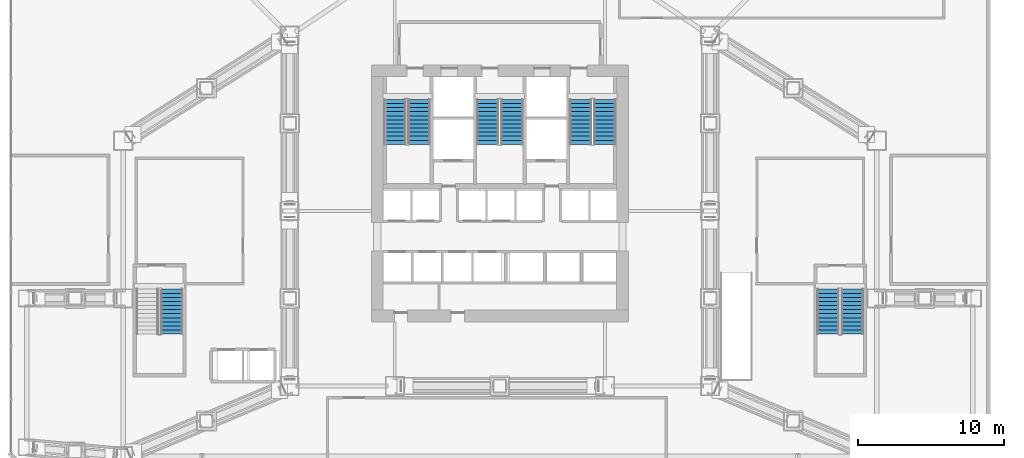
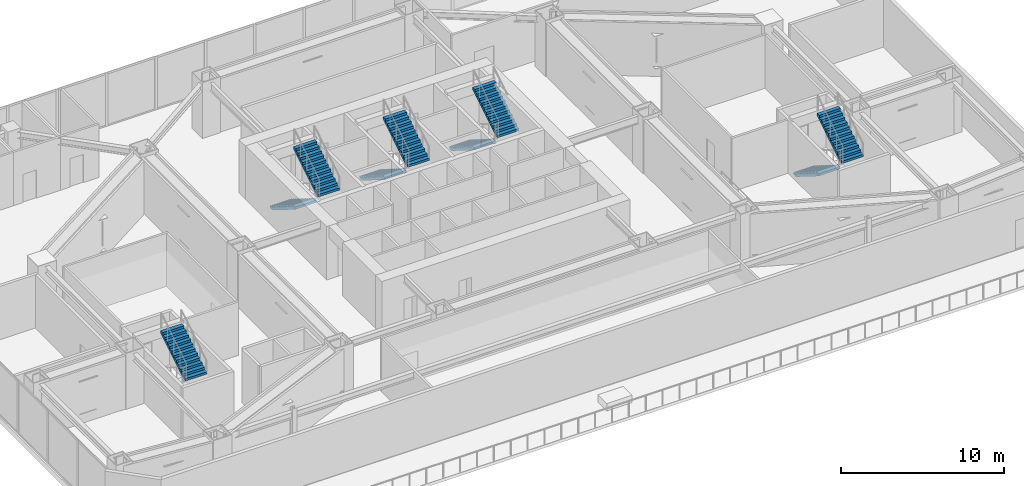
# One storey, part 35 of 39: 9 stair flights, 5 elements without a shape of their own.
"""IFC4 building model written with IfcOpenShell, lengths in metres."""

from ifc_helpers import new_model, si_unit, direction, frame, origin, place, context, subcontext, project, spatial, polyline, outline, extrude, material, type_object, element, aggregate, save


model = new_model("IFC4")

# Units and contexts
model_context = context("Model", 3, precision=1e-05, world=origin(), true_north=direction((0.0, 1.0)))
body_context = subcontext(model_context, "Body", "Model", "MODEL_VIEW")
ifc_project = project(units=[si_unit("LENGTHUNIT", "METRE"), si_unit("AREAUNIT", "SQUARE_METRE"), si_unit("VOLUMEUNIT", "CUBIC_METRE"), si_unit("PLANEANGLEUNIT", "RADIAN"), si_unit("MASSUNIT", "GRAM", prefix="KILO")], contexts=[model_context])

# Site, building, storey
site_placement = place(None, origin())
site = spatial("IfcSite", under=ifc_project, at=site_placement, CompositionType="ELEMENT")
building_placement = place(site_placement, origin())
building = spatial("IfcBuilding", under=site, at=building_placement, Name="Haolan Belvedere Tower", CompositionType="ELEMENT")
storey_placement = place(building_placement, frame((0.0, 0.0, 19.800048828125)))
storey = spatial("IfcBuildingStorey", under=building, at=storey_placement, Name="L04", CompositionType="ELEMENT", Elevation=19.800048828125)

# Stair, stair flights
ifc_material = material(Name="Concrete C40/50", Category="concrete")
stair_type = type_object("IfcStairType", Name="STR-DL-24R-175", PredefinedType="HALF_TURN_STAIR", material=ifc_material)
stair_1_placement = place(storey_placement, origin())
stair_1 = element("IfcStair", 1, at=stair_1_placement, inside=storey, type_object=stair_type, Name="L04 Smokeproof Core Exit Stair ST1", PredefinedType="HALF_TURN_STAIR")
stair_flight_type = type_object("IfcStairFlightType", Name="SFL-DL-12R-175", PredefinedType="STRAIGHT", material=ifc_material)
stair_flight_1_placement = place(storey_placement, frame((31.2099609375, 41.22998046875, 0.0), z_axis=(0.0, 0.0, 1.0), x_axis=(0.0, -1.0, 0.0)))
stair_flight_1 = element("IfcStairFlight", 2, at=stair_flight_1_placement, type_object=stair_flight_type, Name="ST1 flight 1", NumberOfRisers=12, NumberOfTreads=11, PredefinedType="STRAIGHT", RiserHeight=0.175, TreadLength=0.28, context=body_context, shape_type="SweptSolid", body=[
    extrude(outline(polyline([(0.0, 0.0), (0.0, 0.175048828125), (0.280029296875, 0.175048828125), (0.280029296875, 0.35009765625), (0.56005859375, 0.35009765625), (0.56005859375, 0.52490234375), (0.840087890625, 0.52490234375), (0.840087890625, 0.699951171875), (1.1201171875, 0.699951171875), (1.1201171875, 0.875), (1.39990234375, 0.875), (1.39990234375, 1.050048828125), (1.679931640625, 1.050048828125), (1.679931640625, 1.22509765625), (1.9599609375, 1.22509765625), (1.9599609375, 1.39990234375), (2.239990234375, 1.39990234375), (2.239990234375, 1.574951171875), (2.52001953125, 1.574951171875), (2.52001953125, 1.75), (2.800048828125, 1.75), (2.800048828125, 1.925048828125), (3.080078125, 1.925048828125), (3.080078125, 2.10009765625), (3.080078125, 1.748291015625), (0.28271484375, 0.0), (0.0, 0.0)])), frame((0.0, 0.760009765625, 0.0), z_axis=(0.0, -1.0, 0.0), x_axis=(1.0, 0.0, 0.0)), (0.0, 0.0, 1.0), 1.52001953125),
])
stair_flight_2_placement = place(storey_placement, frame((32.8701171875, 38.14990234375, 2.099853515625), z_axis=(0.0, 0.0, 1.0), x_axis=(0.0, 1.0, 0.0)))
stair_flight_2 = element("IfcStairFlight", 3, at=stair_flight_2_placement, type_object=stair_flight_type, Name="ST1 flight 2", NumberOfRisers=12, NumberOfTreads=11, PredefinedType="STRAIGHT", RiserHeight=0.175, TreadLength=0.28, context=body_context, shape_type="SweptSolid", body=[
    extrude(outline(polyline([(0.0, 0.0), (0.0, 0.175048828125), (0.280029296875, 0.175048828125), (0.280029296875, 0.35009765625), (0.56005859375, 0.35009765625), (0.56005859375, 0.52490234375), (0.840087890625, 0.52490234375), (0.840087890625, 0.699951171875), (1.1201171875, 0.699951171875), (1.1201171875, 0.875), (1.39990234375, 0.875), (1.39990234375, 1.050048828125), (1.679931640625, 1.050048828125), (1.679931640625, 1.22509765625), (1.9599609375, 1.22509765625), (1.9599609375, 1.39990234375), (2.239990234375, 1.39990234375), (2.239990234375, 1.574951171875), (2.52001953125, 1.574951171875), (2.52001953125, 1.75), (2.800048828125, 1.75), (2.800048828125, 1.925048828125), (3.080078125, 1.925048828125), (3.080078125, 2.10009765625), (3.080078125, 1.748291015625), (0.28271484375, 0.0), (0.0, 0.0)])), frame((0.0, 0.760009765625, 0.0), z_axis=(0.0, -1.0, 0.0), x_axis=(1.0, 0.0, 0.0)), (0.0, 0.0, 1.0), 1.52001953125),
])
aggregate(stair_1, [stair_flight_1, stair_flight_2])

stair_2_placement = place(storey_placement, origin())
stair_2 = element("IfcStair", 4, at=stair_2_placement, inside=storey, type_object=stair_type, Name="L04 Smokeproof Core Exit Stair ST3", PredefinedType="HALF_TURN_STAIR")
stair_flight_3_placement = place(storey_placement, frame((37.570068359375, 41.22998046875, 0.0), z_axis=(0.0, 0.0, 1.0), x_axis=(0.0, -1.0, 0.0)))
stair_flight_3 = element("IfcStairFlight", 5, at=stair_flight_3_placement, type_object=stair_flight_type, Name="ST3 flight 1", NumberOfRisers=12, NumberOfTreads=11, PredefinedType="STRAIGHT", RiserHeight=0.175, TreadLength=0.28, context=body_context, shape_type="SweptSolid", body=[
    extrude(outline(polyline([(0.0, 0.0), (0.0, 0.175048828125), (0.280029296875, 0.175048828125), (0.280029296875, 0.35009765625), (0.56005859375, 0.35009765625), (0.56005859375, 0.52490234375), (0.840087890625, 0.52490234375), (0.840087890625, 0.699951171875), (1.1201171875, 0.699951171875), (1.1201171875, 0.875), (1.39990234375, 0.875), (1.39990234375, 1.050048828125), (1.679931640625, 1.050048828125), (1.679931640625, 1.22509765625), (1.9599609375, 1.22509765625), (1.9599609375, 1.39990234375), (2.239990234375, 1.39990234375), (2.239990234375, 1.574951171875), (2.52001953125, 1.574951171875), (2.52001953125, 1.75), (2.800048828125, 1.75), (2.800048828125, 1.925048828125), (3.080078125, 1.925048828125), (3.080078125, 2.10009765625), (3.080078125, 1.748291015625), (0.28271484375, 0.0), (0.0, 0.0)])), frame((0.0, 0.760009765625, 0.0), z_axis=(0.0, -1.0, 0.0), x_axis=(1.0, 0.0, 0.0)), (0.0, 0.0, 1.0), 1.52001953125),
])
stair_flight_4_placement = place(storey_placement, frame((39.22998046875, 38.14990234375, 2.099853515625), z_axis=(0.0, 0.0, 1.0), x_axis=(0.0, 1.0, 0.0)))
stair_flight_4 = element("IfcStairFlight", 6, at=stair_flight_4_placement, type_object=stair_flight_type, Name="ST3 flight 2", NumberOfRisers=12, NumberOfTreads=11, PredefinedType="STRAIGHT", RiserHeight=0.175, TreadLength=0.28, context=body_context, shape_type="SweptSolid", body=[
    extrude(outline(polyline([(0.0, 0.0), (0.0, 0.175048828125), (0.280029296875, 0.175048828125), (0.280029296875, 0.35009765625), (0.56005859375, 0.35009765625), (0.56005859375, 0.52490234375), (0.840087890625, 0.52490234375), (0.840087890625, 0.699951171875), (1.1201171875, 0.699951171875), (1.1201171875, 0.875), (1.39990234375, 0.875), (1.39990234375, 1.050048828125), (1.679931640625, 1.050048828125), (1.679931640625, 1.22509765625), (1.9599609375, 1.22509765625), (1.9599609375, 1.39990234375), (2.239990234375, 1.39990234375), (2.239990234375, 1.574951171875), (2.52001953125, 1.574951171875), (2.52001953125, 1.75), (2.800048828125, 1.75), (2.800048828125, 1.925048828125), (3.080078125, 1.925048828125), (3.080078125, 2.10009765625), (3.080078125, 1.748291015625), (0.28271484375, 0.0), (0.0, 0.0)])), frame((0.0, 0.760009765625, 0.0), z_axis=(0.0, -1.0, 0.0), x_axis=(1.0, 0.0, 0.0)), (0.0, 0.0, 1.0), 1.52001953125),
])
aggregate(stair_2, [stair_flight_3, stair_flight_4])

stair_3_placement = place(storey_placement, origin())
stair_3 = element("IfcStair", 7, at=stair_3_placement, inside=storey, type_object=stair_type, Name="L04 Smokeproof Core Exit Stair ST2", PredefinedType="HALF_TURN_STAIR")
stair_flight_5_placement = place(storey_placement, frame((43.929931640625, 41.22998046875, 0.0), z_axis=(0.0, 0.0, 1.0), x_axis=(0.0, -1.0, 0.0)))
stair_flight_5 = element("IfcStairFlight", 8, at=stair_flight_5_placement, type_object=stair_flight_type, Name="ST2 flight 1", NumberOfRisers=12, NumberOfTreads=11, PredefinedType="STRAIGHT", RiserHeight=0.175, TreadLength=0.28, context=body_context, shape_type="SweptSolid", body=[
    extrude(outline(polyline([(0.0, 0.0), (0.0, 0.175048828125), (0.280029296875, 0.175048828125), (0.280029296875, 0.35009765625), (0.56005859375, 0.35009765625), (0.56005859375, 0.52490234375), (0.840087890625, 0.52490234375), (0.840087890625, 0.699951171875), (1.1201171875, 0.699951171875), (1.1201171875, 0.875), (1.39990234375, 0.875), (1.39990234375, 1.050048828125), (1.679931640625, 1.050048828125), (1.679931640625, 1.22509765625), (1.9599609375, 1.22509765625), (1.9599609375, 1.39990234375), (2.239990234375, 1.39990234375), (2.239990234375, 1.574951171875), (2.52001953125, 1.574951171875), (2.52001953125, 1.75), (2.800048828125, 1.75), (2.800048828125, 1.925048828125), (3.080078125, 1.925048828125), (3.080078125, 2.10009765625), (3.080078125, 1.748291015625), (0.28271484375, 0.0), (0.0, 0.0)])), frame((0.0, 0.760009765625, 0.0), z_axis=(0.0, -1.0, 0.0), x_axis=(1.0, 0.0, 0.0)), (0.0, 0.0, 1.0), 1.52001953125),
])
stair_flight_6_placement = place(storey_placement, frame((45.590087890625, 38.14990234375, 2.099853515625), z_axis=(0.0, 0.0, 1.0), x_axis=(0.0, 1.0, 0.0)))
stair_flight_6 = element("IfcStairFlight", 9, at=stair_flight_6_placement, type_object=stair_flight_type, Name="ST2 flight 2", NumberOfRisers=12, NumberOfTreads=11, PredefinedType="STRAIGHT", RiserHeight=0.175, TreadLength=0.28, context=body_context, shape_type="SweptSolid", body=[
    extrude(outline(polyline([(0.0, 0.0), (0.0, 0.175048828125), (0.280029296875, 0.175048828125), (0.280029296875, 0.35009765625), (0.56005859375, 0.35009765625), (0.56005859375, 0.52490234375), (0.840087890625, 0.52490234375), (0.840087890625, 0.699951171875), (1.1201171875, 0.699951171875), (1.1201171875, 0.875), (1.39990234375, 0.875), (1.39990234375, 1.050048828125), (1.679931640625, 1.050048828125), (1.679931640625, 1.22509765625), (1.9599609375, 1.22509765625), (1.9599609375, 1.39990234375), (2.239990234375, 1.39990234375), (2.239990234375, 1.574951171875), (2.52001953125, 1.574951171875), (2.52001953125, 1.75), (2.800048828125, 1.75), (2.800048828125, 1.925048828125), (3.080078125, 1.925048828125), (3.080078125, 2.10009765625), (3.080078125, 1.748291015625), (0.28271484375, 0.0), (0.0, 0.0)])), frame((0.0, 0.760009765625, 0.0), z_axis=(0.0, -1.0, 0.0), x_axis=(1.0, 0.0, 0.0)), (0.0, 0.0, 1.0), 1.52001953125),
])
aggregate(stair_3, [stair_flight_5, stair_flight_6])

# Stair, stair flight
stair_4_placement = place(storey_placement, origin())
stair_4 = element("IfcStair", 10, at=stair_4_placement, inside=storey, type_object=stair_type, Name="L04 West Podium Protected Exit Stair ST4", PredefinedType="HALF_TURN_STAIR")
stair_flight_7_placement = place(storey_placement, frame((15.919921875, 25.14990234375, 2.099853515625), z_axis=(0.0, 0.0, 1.0), x_axis=(0.0, 1.0, 0.0)))
stair_flight_7 = element("IfcStairFlight", 11, at=stair_flight_7_placement, type_object=stair_flight_type, Name="ST4 flight 2", NumberOfRisers=12, NumberOfTreads=11, PredefinedType="STRAIGHT", RiserHeight=0.175, TreadLength=0.28, context=body_context, shape_type="SweptSolid", body=[
    extrude(outline(polyline([(0.0, 0.0), (0.0, 0.175048828125), (0.280029296875, 0.175048828125), (0.280029296875, 0.35009765625), (0.56005859375, 0.35009765625), (0.56005859375, 0.52490234375), (0.840087890625, 0.52490234375), (0.840087890625, 0.699951171875), (1.1201171875, 0.699951171875), (1.1201171875, 0.875), (1.39990234375, 0.875), (1.39990234375, 1.050048828125), (1.679931640625, 1.050048828125), (1.679931640625, 1.22509765625), (1.9599609375, 1.22509765625), (1.9599609375, 1.39990234375), (2.239990234375, 1.39990234375), (2.239990234375, 1.574951171875), (2.52001953125, 1.574951171875), (2.52001953125, 1.75), (2.800048828125, 1.75), (2.800048828125, 1.925048828125), (3.080078125, 1.925048828125), (3.080078125, 2.10009765625), (3.080078125, 1.748291015625), (0.28271484375, 0.0), (0.0, 0.0)])), frame((0.0, 0.760009765625, 0.0), z_axis=(0.0, -1.0, 0.0), x_axis=(1.0, 0.0, 0.0)), (0.0, 0.0, 1.0), 1.52001953125),
])
aggregate(stair_4, [stair_flight_7])

# Stair, stair flights
stair_5_placement = place(storey_placement, origin())
stair_5 = element("IfcStair", 12, at=stair_5_placement, inside=storey, type_object=stair_type, Name="L04 East Podium Protected Exit Stair ST5", PredefinedType="HALF_TURN_STAIR")
stair_flight_8_placement = place(storey_placement, frame((60.8798828125, 28.22998046875, 0.0), z_axis=(0.0, 0.0, 1.0), x_axis=(0.0, -1.0, 0.0)))
stair_flight_8 = element("IfcStairFlight", 13, at=stair_flight_8_placement, type_object=stair_flight_type, Name="ST5 flight 1", NumberOfRisers=12, NumberOfTreads=11, PredefinedType="STRAIGHT", RiserHeight=0.175, TreadLength=0.28, context=body_context, shape_type="SweptSolid", body=[
    extrude(outline(polyline([(0.0, 0.0), (0.0, 0.175048828125), (0.280029296875, 0.175048828125), (0.280029296875, 0.35009765625), (0.56005859375, 0.35009765625), (0.56005859375, 0.52490234375), (0.840087890625, 0.52490234375), (0.840087890625, 0.699951171875), (1.1201171875, 0.699951171875), (1.1201171875, 0.875), (1.39990234375, 0.875), (1.39990234375, 1.050048828125), (1.679931640625, 1.050048828125), (1.679931640625, 1.22509765625), (1.9599609375, 1.22509765625), (1.9599609375, 1.39990234375), (2.239990234375, 1.39990234375), (2.239990234375, 1.574951171875), (2.52001953125, 1.574951171875), (2.52001953125, 1.75), (2.800048828125, 1.75), (2.800048828125, 1.925048828125), (3.080078125, 1.925048828125), (3.080078125, 2.10009765625), (3.080078125, 1.748291015625), (0.28271484375, 0.0), (0.0, 0.0)])), frame((0.0, 0.760009765625, 0.0), z_axis=(0.0, -1.0, 0.0), x_axis=(1.0, 0.0, 0.0)), (0.0, 0.0, 1.0), 1.52001953125),
])
stair_flight_9_placement = place(storey_placement, frame((62.5400390625, 25.14990234375, 2.099853515625), z_axis=(0.0, 0.0, 1.0), x_axis=(0.0, 1.0, 0.0)))
stair_flight_9 = element("IfcStairFlight", 14, at=stair_flight_9_placement, type_object=stair_flight_type, Name="ST5 flight 2", NumberOfRisers=12, NumberOfTreads=11, PredefinedType="STRAIGHT", RiserHeight=0.175, TreadLength=0.28, context=body_context, shape_type="SweptSolid", body=[
    extrude(outline(polyline([(0.0, 0.0), (0.0, 0.175048828125), (0.280029296875, 0.175048828125), (0.280029296875, 0.35009765625), (0.56005859375, 0.35009765625), (0.56005859375, 0.52490234375), (0.840087890625, 0.52490234375), (0.840087890625, 0.699951171875), (1.1201171875, 0.699951171875), (1.1201171875, 0.875), (1.39990234375, 0.875), (1.39990234375, 1.050048828125), (1.679931640625, 1.050048828125), (1.679931640625, 1.22509765625), (1.9599609375, 1.22509765625), (1.9599609375, 1.39990234375), (2.239990234375, 1.39990234375), (2.239990234375, 1.574951171875), (2.52001953125, 1.574951171875), (2.52001953125, 1.75), (2.800048828125, 1.75), (2.800048828125, 1.925048828125), (3.080078125, 1.925048828125), (3.080078125, 2.10009765625), (3.080078125, 1.748291015625), (0.28271484375, 0.0), (0.0, 0.0)])), frame((0.0, 0.760009765625, 0.0), z_axis=(0.0, -1.0, 0.0), x_axis=(1.0, 0.0, 0.0)), (0.0, 0.0, 1.0), 1.52001953125),
])
aggregate(stair_5, [stair_flight_8, stair_flight_9])

save(model, "model.ifc")
